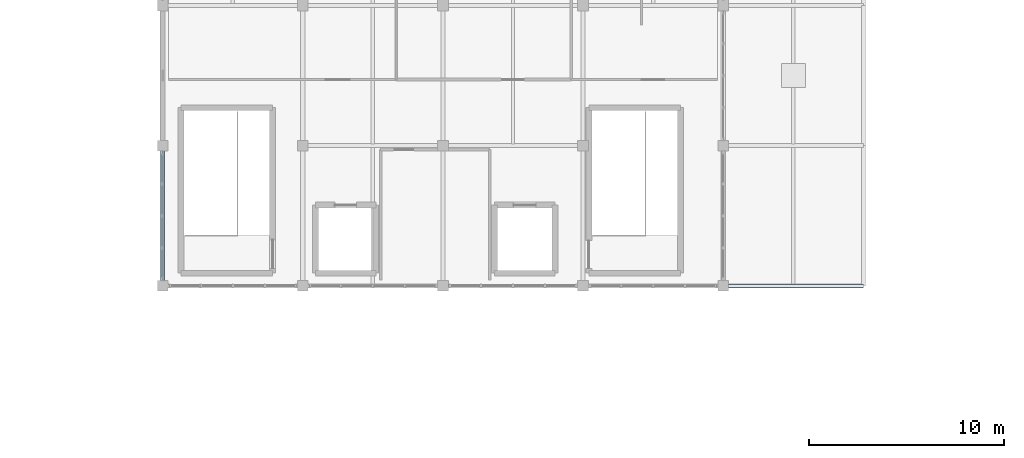
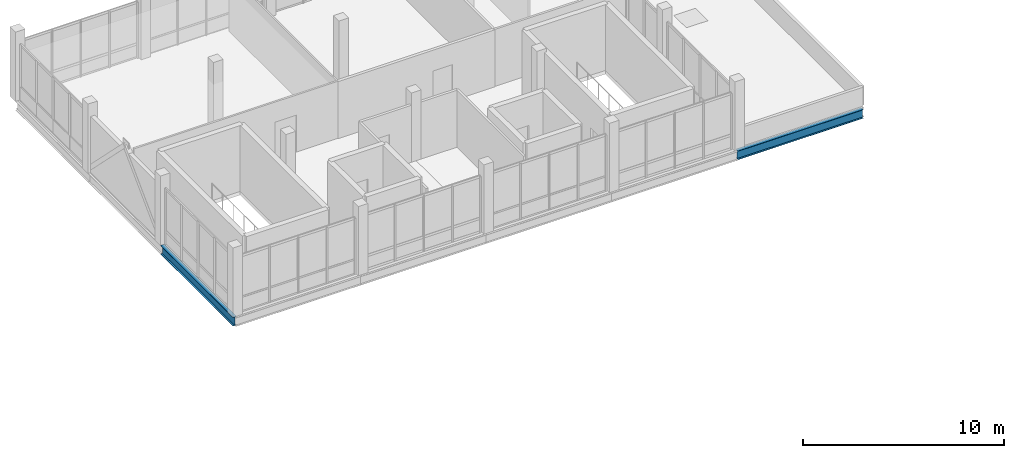
# One storey, part 7 of 28: 2 beams.
"""IFC4 building model written with IfcOpenShell, lengths in metres."""

from ifc_helpers import new_model, si_unit, direction, frame, origin, origin_2d, place, context, subcontext, project, spatial, i_section, extrude, material, material_profile, profile_set, type_object, element, save


model = new_model("IFC4")

# Units and contexts
model_context = context("Model", 3, precision=1e-05, world=origin(), true_north=direction((0.0, 1.0)))
body_context = subcontext(model_context, "Body", "Model", "MODEL_VIEW")
ifc_project = project(units=[si_unit("LENGTHUNIT", "METRE"), si_unit("AREAUNIT", "SQUARE_METRE"), si_unit("VOLUMEUNIT", "CUBIC_METRE"), si_unit("PLANEANGLEUNIT", "RADIAN"), si_unit("MASSUNIT", "GRAM", prefix="KILO")], contexts=[model_context])

# Site, building, storey
site_placement = place(None, origin())
site = spatial("IfcSite", under=ifc_project, at=site_placement, CompositionType="ELEMENT")
building_placement = place(site_placement, origin())
building = spatial("IfcBuilding", under=site, at=building_placement, Name="Yarey Park Central Fire Station", CompositionType="ELEMENT")
storey_placement = place(building_placement, frame((0.0, 0.0, 22.199951171875)))
storey = spatial("IfcBuildingStorey", under=building, at=storey_placement, Name="L06", CompositionType="ELEMENT", Elevation=22.199951171875)

# Beams
ifc_material = material(Name="Steel ASTM A992 Gr. 50", Category="steel")
ifc_material_profile = material_profile(ifc_material, i_section(OverallWidth=0.208984375, OverallDepth=0.532958984375, WebThickness=0.01025390625, FlangeThickness=0.015625, at=origin_2d()), Name="W530x92")
ifc_profile_set = profile_set([ifc_material_profile], Name="Steel ASTM A992 Gr. 50")
beam_type = type_object("IfcBeamType", Name="STR_BM_W530", PredefinedType="BEAM", material=ifc_profile_set)
for number, where, z_axis, x_axis, name in (
    (1, (144.0, 93.60009765625, -0.46142578125), (1.0, 0.0, 0.0), (0.0, 1.0, 0.0), "BMX L06 Y936 X1440"),
    (2, (115.199951171875, 93.60009765625, -0.491455078125), (0.0, 1.0, 0.0), (-1.0, 0.0, 0.0), "BMY L06 X1152 Y936"),
):
    element("IfcBeam", number, at=place(storey_placement, frame(where, z_axis=z_axis, x_axis=x_axis)), inside=storey, type_object=beam_type, Name=name, PredefinedType="BEAM", context=body_context, shape_type="SweptSolid", body=[
        extrude(i_section(OverallWidth=0.208984375, OverallDepth=0.532958984375, WebThickness=0.01025390625, FlangeThickness=0.015625, at=origin_2d()), origin(), (0.0, 0.0, 1.0), 7.199951171875),
    ])

save(model, "model.ifc")
